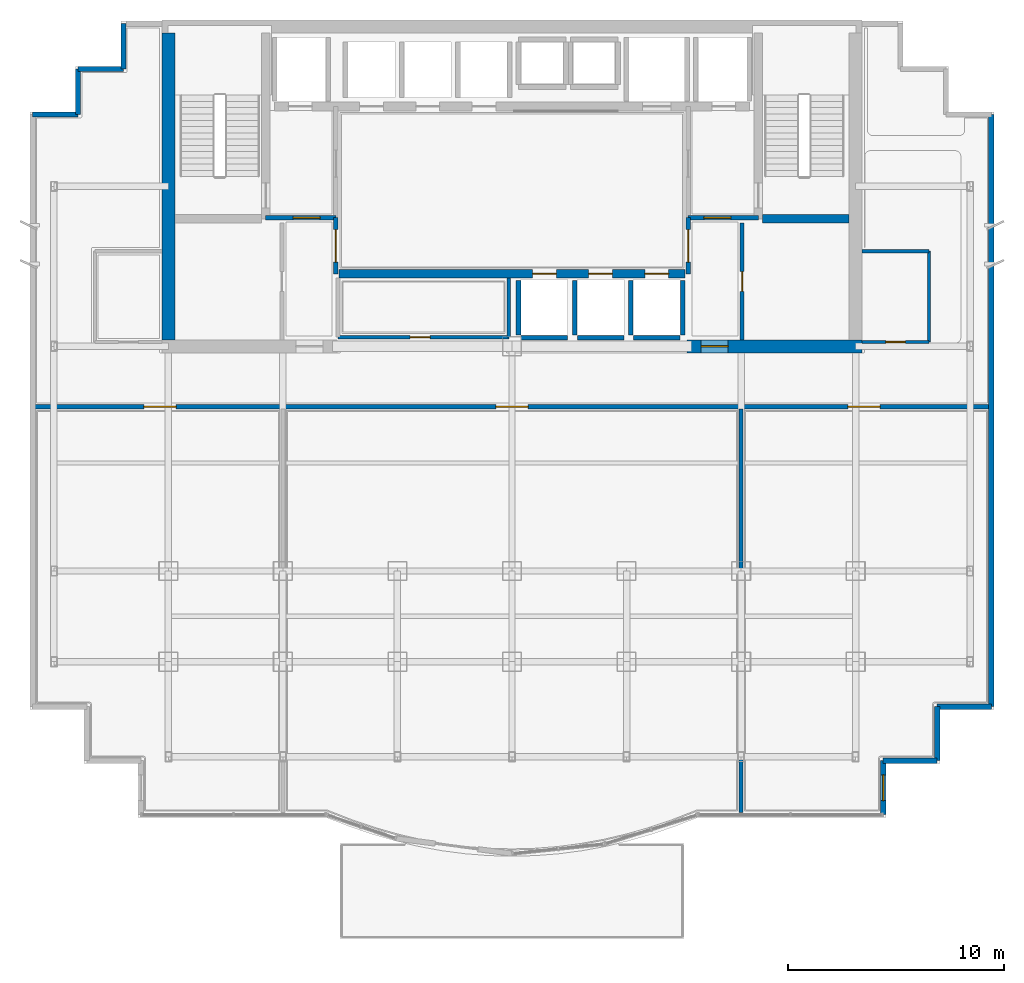
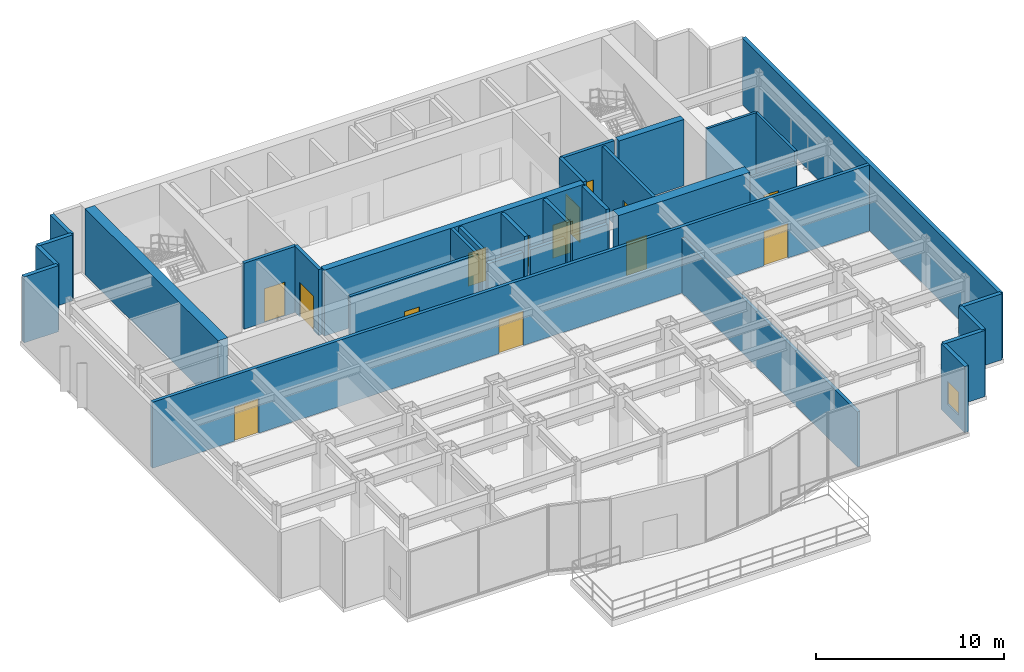
# One storey, part 6 of 9: 32 walls, 14 doors, 1 window, 15 openings.
"""IFC4 building model written with IfcOpenShell, lengths in metres."""

from ifc_helpers import new_model, si_unit, direction, frame, frame_2d, origin, place, context, subcontext, project, spatial, rectangle, extrude, material, layer, layer_set, type_object, element, fill, save


model = new_model("IFC4")

# Units and contexts
model_context = context("Model", 3, precision=1e-05, world=origin(), true_north=direction((0.0, 1.0)))
body_context = subcontext(model_context, "Body", "Model", "MODEL_VIEW")
ifc_project = project(units=[si_unit("LENGTHUNIT", "METRE"), si_unit("AREAUNIT", "SQUARE_METRE"), si_unit("VOLUMEUNIT", "CUBIC_METRE"), si_unit("PLANEANGLEUNIT", "RADIAN"), si_unit("MASSUNIT", "GRAM", prefix="KILO")], contexts=[model_context])

# Site, building, storey
site_placement = place(None, origin())
site = spatial("IfcSite", under=ifc_project, at=site_placement, CompositionType="ELEMENT")
building_placement = place(site_placement, origin())
building = spatial("IfcBuilding", under=site, at=building_placement, Name="Qianlan Lanfeng Residences", CompositionType="ELEMENT")
storey_placement = place(building_placement, frame((0.0, 0.0, 134.699951171875)))
storey = spatial("IfcBuildingStorey", under=building, at=storey_placement, Name="L36", CompositionType="ELEMENT", Elevation=134.699951171875)

# Wall
ifc_material_1 = material(Name="Concrete C56", Category="concrete")
ifc_layer_1 = layer(ifc_material_1, 0.39990234375)
ifc_layer_set_1 = layer_set([ifc_layer_1], Name="Concrete C56")
wall_type_1 = type_object("IfcWallType", Name="CW-RC-400", PredefinedType="SHEAR", material=ifc_layer_set_1)
wall_1_placement = place(storey_placement, frame((38.10009765625, 31.10009765625, 0.0), z_axis=(0.0, 0.0, 1.0), x_axis=(1.0, 0.0, 0.0)))
element("IfcWall", 1, at=wall_1_placement, inside=storey, type_object=wall_type_1, Name="L36 Core Shear Wall ST2S", PredefinedType="SHEAR", context=body_context, shape_type="SweptSolid", body=[
    extrude(rectangle(XDim=4.0, YDim=0.39990234375, at=frame_2d((2.0, 0.0))), origin(), (0.0, 0.0, 1.0), 4.300048828125),
])

# Wall, openings, doors
wall_2_placement = place(storey_placement, frame((18.5, 28.550048828125, 0.0), z_axis=(0.0, 0.0, 1.0), x_axis=(1.0, 0.0, 0.0)))
wall_2 = element("IfcWall", 2, at=wall_2_placement, inside=storey, type_object=wall_type_1, Name="L36 Core Shear Wall LBS", PredefinedType="SHEAR", context=body_context, shape_type="SweptSolid", body=[
    extrude(rectangle(XDim=16.0, YDim=0.39990234375, at=frame_2d((8.0, 0.0))), origin(), (0.0, 0.0, 1.0), 4.300048828125),
])
opening_1_placement = place(wall_2_placement, frame((8.949951171875, 0.0, 0.0)))
opening_1 = element("IfcOpeningElement", 3, at=opening_1_placement, cuts=wall_2, Name="Opening L36-LD-PL-M1", PredefinedType="OPENING", context=body_context, shape_type="SweptSolid", body=[
    extrude(rectangle(XDim=1.10009765625, YDim=2.14990234375, at=frame_2d((0.550048828125, 1.074951171875))), frame((0.0, 0.2099609375, 0.0), z_axis=(0.0, -1.0, 0.0), x_axis=(1.0, 0.0, 0.0)), (0.0, 0.0, 1.0), 0.419921875),
])
opening_2_placement = place(wall_2_placement, frame((11.550048828125, 0.0, 0.0)))
opening_2 = element("IfcOpeningElement", 4, at=opening_2_placement, cuts=wall_2, Name="Opening L36-LD-PL-M2", PredefinedType="OPENING", context=body_context, shape_type="SweptSolid", body=[
    extrude(rectangle(XDim=1.10009765625, YDim=2.14990234375, at=frame_2d((0.550048828125, 1.074951171875))), frame((0.0, 0.2099609375, 0.0), z_axis=(0.0, -1.0, 0.0), x_axis=(1.0, 0.0, 0.0)), (0.0, 0.0, 1.0), 0.419921875),
])
opening_3_placement = place(wall_2_placement, frame((14.14990234375, 0.0, 0.0)))
opening_3 = element("IfcOpeningElement", 5, at=opening_3_placement, cuts=wall_2, Name="Opening L36-LD-PL-M3", PredefinedType="OPENING", context=body_context, shape_type="SweptSolid", body=[
    extrude(rectangle(XDim=1.10009765625, YDim=2.14990234375, at=frame_2d((0.550048828125, 1.074951171875))), frame((0.0, 0.2099609375, 0.0), z_axis=(0.0, -1.0, 0.0), x_axis=(1.0, 0.0, 0.0)), (0.0, 0.0, 1.0), 0.419921875),
])
ifc_material_2 = material(Name="Brushed Stainless Steel Sliding Lift Door", Category="steel")
door_type_1 = type_object("IfcDoorType", Name="LD-01", OperationType="NOTDEFINED", PredefinedType="DOOR", material=ifc_material_2)
door_1_placement = place(opening_1_placement, origin())
door_1 = element("IfcDoor", 6, at=door_1_placement, inside=storey, type_object=door_type_1, Name="L36 Elevator PL-M1 Sliding Landing Door", OperationType="DOUBLE_DOOR_SLIDING", OverallHeight=2.14990234375, OverallWidth=1.10009765625, PredefinedType="DOOR", context=body_context, shape_type="SweptSolid", body=[
    extrude(rectangle(XDim=1.10009765625, YDim=2.14990234375, at=frame_2d((0.550048828125, 1.074951171875))), frame((0.0, 0.02490234375, 0.0), z_axis=(0.0, -1.0, 0.0), x_axis=(1.0, 0.0, 0.0)), (0.0, 0.0, 1.0), 0.050048828125),
])
fill(opening_1, door_1)
door_2_placement = place(opening_2_placement, origin())
door_2 = element("IfcDoor", 7, at=door_2_placement, inside=storey, type_object=door_type_1, Name="L36 Elevator PL-M2 Sliding Landing Door", OperationType="DOUBLE_DOOR_SLIDING", OverallHeight=2.14990234375, OverallWidth=1.10009765625, PredefinedType="DOOR", context=body_context, shape_type="SweptSolid", body=[
    extrude(rectangle(XDim=1.10009765625, YDim=2.14990234375, at=frame_2d((0.550048828125, 1.074951171875))), frame((0.0, 0.02490234375, 0.0), z_axis=(0.0, -1.0, 0.0), x_axis=(1.0, 0.0, 0.0)), (0.0, 0.0, 1.0), 0.050048828125),
])
fill(opening_2, door_2)
door_3_placement = place(opening_3_placement, origin())
door_3 = element("IfcDoor", 8, at=door_3_placement, inside=storey, type_object=door_type_1, Name="L36 Elevator PL-M3 Sliding Landing Door", OperationType="DOUBLE_DOOR_SLIDING", OverallHeight=2.14990234375, OverallWidth=1.10009765625, PredefinedType="DOOR", context=body_context, shape_type="SweptSolid", body=[
    extrude(rectangle(XDim=1.10009765625, YDim=2.14990234375, at=frame_2d((0.550048828125, 1.074951171875))), frame((0.0, 0.02490234375, 0.0), z_axis=(0.0, -1.0, 0.0), x_axis=(1.0, 0.0, 0.0)), (0.0, 0.0, 1.0), 0.050048828125),
])
fill(opening_3, door_3)

# Wall
ifc_layer_2 = layer(ifc_material_1, 0.60009765625)
ifc_layer_set_2 = layer_set([ifc_layer_2], Name="Concrete C56")
wall_type_2 = type_object("IfcWallType", Name="CW-RC-600", PredefinedType="SHEAR", material=ifc_layer_set_2)
wall_3_placement = place(storey_placement, frame((10.60009765625, 25.5, 0.0), z_axis=(0.0, 0.0, 1.0), x_axis=(0.0, 1.0, 0.0)))
element("IfcWall", 9, at=wall_3_placement, inside=storey, type_object=wall_type_2, Name="L36 Core Shear Wall W", PredefinedType="SHEAR", context=body_context, shape_type="SweptSolid", body=[
    extrude(rectangle(XDim=14.199951171875, YDim=0.60009765625, at=frame_2d((7.10009765625, 0.0))), origin(), (0.0, 0.0, 1.0), 4.300048828125),
])

# Wall, opening, door
wall_4_placement = place(storey_placement, frame((34.60009765625, 25.199951171875, 0.0), z_axis=(0.0, 0.0, 1.0), x_axis=(1.0, 0.0, 0.0)))
wall_4 = element("IfcWall", 10, at=wall_4_placement, inside=storey, type_object=wall_type_2, Name="L36 Core Shear Wall SE", PredefinedType="SHEAR", context=body_context, shape_type="SweptSolid", body=[
    extrude(rectangle(XDim=8.099853515625, YDim=0.60009765625, at=frame_2d((4.0498046875, 0.0))), origin(), (0.0, 0.0, 1.0), 4.300048828125),
])
opening_4_placement = place(wall_4_placement, frame((0.64990234375, 0.0, 0.0)))
opening_4 = element("IfcOpeningElement", 11, at=opening_4_placement, cuts=wall_4, Name="Opening L36-D02", PredefinedType="OPENING", context=body_context, shape_type="SweptSolid", body=[
    extrude(rectangle(XDim=1.25, YDim=2.199951171875, at=frame_2d((0.625, 1.10009765625))), frame((0.0, 0.31005859375, 0.0), z_axis=(0.0, -1.0, 0.0), x_axis=(1.0, 0.0, 0.0)), (0.0, 0.0, 1.0), 0.6201171875),
])
ifc_material_3 = material(Name="Painted Galvanised Steel Fire Door", Category="steel")
door_type_2 = type_object("IfcDoorType", Name="DT-FFL", OperationType="NOTDEFINED", PredefinedType="DOOR", material=ifc_material_3)
door_4_placement = place(opening_4_placement, frame((1.25, 0.0, 0.0), z_axis=(0.0, 0.0, 1.0), x_axis=(-1.0, 0.0, 0.0)))
door_4 = element("IfcDoor", 12, at=door_4_placement, inside=storey, type_object=door_type_2, Name="L36 East Core Lobby Smoke Door L36-D02 (DT-FFL)", OperationType="SINGLE_SWING_LEFT", OverallHeight=2.199951171875, OverallWidth=1.25, PredefinedType="DOOR", context=body_context, shape_type="SweptSolid", body=[
    extrude(rectangle(XDim=1.25, YDim=2.199951171875, at=frame_2d((0.625, 1.10009765625))), frame((0.0, 0.02490234375, 0.0), z_axis=(0.0, -1.0, 0.0), x_axis=(1.0, 0.0, 0.0)), (0.0, 0.0, 1.0), 0.050048828125),
])
fill(opening_4, door_4)

# Wall, opening, window
ifc_material_4 = material(Name="Concrete C42", Category="concrete")
ifc_layer_3 = layer(ifc_material_4, 0.239990234375)
ifc_layer_set_3 = layer_set([ifc_layer_3], Name="Concrete C42")
wall_type_3 = type_object("IfcWallType", Name="EW-240", PredefinedType="SOLIDWALL", material=ifc_layer_set_3)
wall_5_placement = place(storey_placement, frame((43.679931640625, 3.52001953125, 0.0), z_axis=(0.0, 0.0, 1.0), x_axis=(0.0, 1.0, 0.0)))
wall_5 = element("IfcWall", 13, at=wall_5_placement, inside=storey, type_object=wall_type_3, Name="L36 Exterior Facade Spandrel Wall 6", PredefinedType="SOLIDWALL", context=body_context, shape_type="SweptSolid", body=[
    extrude(rectangle(XDim=2.5, YDim=0.239990234375, at=frame_2d((1.25, 0.0))), origin(), (0.0, 0.0, 1.0), 4.300048828125),
])
opening_5_placement = place(wall_5_placement, frame((0.64990234375, 0.0, 0.75)))
opening_5 = element("IfcOpeningElement", 14, at=opening_5_placement, cuts=wall_5, Name="Opening W-03", PredefinedType="OPENING", context=body_context, shape_type="SweptSolid", body=[
    extrude(rectangle(XDim=1.199951171875, YDim=1.5, at=frame_2d((0.60009765625, 0.75))), frame((0.0, 0.1298828125, 0.0), z_axis=(0.0, -1.0, 0.0), x_axis=(1.0, 0.0, 0.0)), (0.0, 0.0, 1.0), 0.260009765625),
])
ifc_material_5 = material(Name="Anodised Bronze Aluminium Framed Double Glazing", Category="aluminium")
window_type = type_object("IfcWindowType", Name="W-03", PartitioningType="SINGLE_PANEL", PredefinedType="WINDOW", material=ifc_material_5)
window_placement = place(opening_5_placement, origin())
window = element("IfcWindow", 15, at=window_placement, inside=storey, type_object=window_type, Name="L36 Facade Punched Window W-03", OverallHeight=1.5, OverallWidth=1.199951171875, PartitioningType="SINGLE_PANEL", PredefinedType="WINDOW", context=body_context, shape_type="SweptSolid", body=[
    extrude(rectangle(XDim=1.199951171875, YDim=1.5, at=frame_2d((0.60009765625, 0.75))), frame((0.0, 0.030029296875, 0.0), z_axis=(0.0, -1.0, 0.0), x_axis=(1.0, 0.0, 0.0)), (0.0, 0.0, 1.0), 0.06005859375),
])
fill(opening_5, window)

# Walls
for number, where, z_axis, x_axis, name in (
    (16, (43.679931640625, 6.02001953125, 0.0), (0.0, 0.0, 1.0), (1.0, 0.0, 0.0), "L36 Exterior Facade Spandrel Wall 7"),
    (17, (46.179931640625, 6.02001953125, 0.0), (0.0, 0.0, 1.0), (0.0, 1.0, 0.0), "L36 Exterior Facade Spandrel Wall 8"),
    (18, (46.179931640625, 8.52001953125, 0.0), (0.0, 0.0, 1.0), (1.0, 0.0, 0.0), "L36 Exterior Facade Spandrel Wall 9"),
):
    element("IfcWall", number, at=place(storey_placement, frame(where, z_axis=z_axis, x_axis=x_axis)), inside=storey, type_object=wall_type_3, Name=name, PredefinedType="SOLIDWALL", context=body_context, shape_type="SweptSolid", body=[
        extrude(rectangle(XDim=2.5, YDim=0.239990234375, at=frame_2d((1.25, 0.0))), origin(), (0.0, 0.0, 1.0), 4.300048828125),
    ])
wall_6_placement = place(storey_placement, frame((48.679931640625, 8.52001953125, 0.0), z_axis=(0.0, 0.0, 1.0), x_axis=(0.0, 1.0, 0.0)))
element("IfcWall", 19, at=wall_6_placement, inside=storey, type_object=wall_type_3, Name="L36 Exterior Facade Spandrel Wall 10", PredefinedType="SOLIDWALL", context=body_context, shape_type="SweptSolid", body=[
    extrude(rectangle(XDim=27.409912109375, YDim=0.239990234375, at=frame_2d((13.705078125, 0.0))), origin(), (0.0, 0.0, 1.0), 4.300048828125),
])
wall_7_placement = place(storey_placement, frame((8.52001953125, 40.1298828125, 0.0), z_axis=(0.0, 0.0, 1.0), x_axis=(0.0, -1.0, 0.0)))
element("IfcWall", 20, at=wall_7_placement, inside=storey, type_object=wall_type_3, Name="L36 Exterior Facade Spandrel Wall 17", PredefinedType="SOLIDWALL", context=body_context, shape_type="SweptSolid", body=[
    extrude(rectangle(XDim=2.099853515625, YDim=0.239990234375, at=frame_2d((1.0498046875, 0.0))), origin(), (0.0, 0.0, 1.0), 4.300048828125),
])
for number, where, z_axis, x_axis, name in (
    (21, (8.52001953125, 38.030029296875, 0.0), (0.0, 0.0, 1.0), (-1.0, 0.0, 0.0), "L36 Exterior Facade Spandrel Wall 18"),
    (22, (6.419921875, 38.030029296875, 0.0), (0.0, 0.0, 1.0), (0.0, -1.0, 0.0), "L36 Exterior Facade Spandrel Wall 19"),
):
    element("IfcWall", number, at=place(storey_placement, frame(where, z_axis=z_axis, x_axis=x_axis)), inside=storey, type_object=wall_type_3, Name=name, PredefinedType="SOLIDWALL", context=body_context, shape_type="SweptSolid", body=[
        extrude(rectangle(XDim=2.10009765625, YDim=0.239990234375, at=frame_2d((1.050048828125, 0.0))), origin(), (0.0, 0.0, 1.0), 4.300048828125),
    ])
wall_8_placement = place(storey_placement, frame((6.419921875, 35.929931640625, 0.0), z_axis=(0.0, 0.0, 1.0), x_axis=(-1.0, 0.0, 0.0)))
element("IfcWall", 23, at=wall_8_placement, inside=storey, type_object=wall_type_3, Name="L36 Exterior Facade Spandrel Wall 20", PredefinedType="SOLIDWALL", context=body_context, shape_type="SweptSolid", body=[
    extrude(rectangle(XDim=2.099853515625, YDim=0.239990234375, at=frame_2d((1.0498046875, 0.0))), origin(), (0.0, 0.0, 1.0), 4.300048828125),
])

# Wall, opening, door
ifc_material_6 = material(Name="Acoustic Drywall Partition 150 mm")
ifc_layer_4 = layer(ifc_material_6, 0.14990234375)
ifc_layer_set_4 = layer_set([ifc_layer_4], Name="Acoustic Drywall Partition 150 mm")
wall_type_4 = type_object("IfcWallType", Name="PW-150", PredefinedType="PARTITIONING", material=ifc_layer_set_4)
wall_9_placement = place(storey_placement, frame((42.699951171875, 25.39990234375, 0.0), z_axis=(0.0, 0.0, 1.0), x_axis=(1.0, 0.0, 0.0)))
wall_9 = element("IfcWall", 24, at=wall_9_placement, inside=storey, type_object=wall_type_4, Name="L36 Accessible WC South Wall", PredefinedType="PARTITIONING", context=body_context, shape_type="SweptSolid", body=[
    extrude(rectangle(XDim=3.10009765625, YDim=0.14990234375, at=frame_2d((1.550048828125, 0.0))), origin(), (0.0, 0.0, 1.0), 3.594970703125),
])
opening_6_placement = place(wall_9_placement, frame((1.10009765625, 0.0, 0.0)))
opening_6 = element("IfcOpeningElement", 25, at=opening_6_placement, cuts=wall_9, Name="Opening L36-D18", PredefinedType="OPENING", context=body_context, shape_type="SweptSolid", body=[
    extrude(rectangle(XDim=0.89990234375, YDim=2.14990234375, at=frame_2d((0.449951171875, 1.074951171875))), frame((0.0, 0.0849609375, 0.0), z_axis=(0.0, -1.0, 0.0), x_axis=(1.0, 0.0, 0.0)), (0.0, 0.0, 1.0), 0.169921875),
])
ifc_material_7 = material(Name="Moisture-Resistant Timber Leaf", Category="wood")
door_type_3 = type_object("IfcDoorType", Name="DT-WC", OperationType="NOTDEFINED", PredefinedType="DOOR", material=ifc_material_7)
door_5_placement = place(opening_6_placement, origin())
door_5 = element("IfcDoor", 26, at=door_5_placement, inside=storey, type_object=door_type_3, Name="L36 Accessible WC Door L36-D18 (DT-WC)", OperationType="SINGLE_SWING_LEFT", OverallHeight=2.14990234375, OverallWidth=0.89990234375, PredefinedType="DOOR", context=body_context, shape_type="SweptSolid", body=[
    extrude(rectangle(XDim=0.89990234375, YDim=2.14990234375, at=frame_2d((0.449951171875, 1.074951171875))), frame((0.0, 0.02490234375, 0.0), z_axis=(0.0, -1.0, 0.0), x_axis=(1.0, 0.0, 0.0)), (0.0, 0.0, 1.0), 0.050048828125),
])
fill(opening_6, door_5)

# Walls
wall_10_placement = place(storey_placement, frame((45.800048828125, 25.39990234375, 0.0), z_axis=(0.0, 0.0, 1.0), x_axis=(0.0, 1.0, 0.0)))
element("IfcWall", 27, at=wall_10_placement, inside=storey, type_object=wall_type_4, Name="L36 Accessible WC East Wall", PredefinedType="PARTITIONING", context=body_context, shape_type="SweptSolid", body=[
    extrude(rectangle(XDim=4.2001953125, YDim=0.14990234375, at=frame_2d((2.10009765625, 0.0))), origin(), (0.0, 0.0, 1.0), 4.300048828125),
])
wall_11_placement = place(storey_placement, frame((42.699951171875, 29.60009765625, 0.0), z_axis=(0.0, 0.0, 1.0), x_axis=(1.0, 0.0, 0.0)))
element("IfcWall", 28, at=wall_11_placement, inside=storey, type_object=wall_type_4, Name="L36 Accessible WC North Wall", PredefinedType="PARTITIONING", context=body_context, shape_type="SweptSolid", body=[
    extrude(rectangle(XDim=3.10009765625, YDim=0.14990234375, at=frame_2d((1.550048828125, 0.0))), origin(), (0.0, 0.0, 1.0), 4.300048828125),
])

# Wall, opening, door
ifc_material_8 = material(Name="Double-Layer Acoustic Gypsum Stud Wall 180 mm")
ifc_layer_5 = layer(ifc_material_8, 0.179931640625)
ifc_layer_set_5 = layer_set([ifc_layer_5], Name="Double-Layer Acoustic Gypsum Stud Wall 180 mm")
wall_type_5 = type_object("IfcWallType", Name="PW-180", PredefinedType="PARTITIONING", material=ifc_layer_set_5)
wall_12_placement = place(storey_placement, frame((37.14990234375, 25.5, 0.0), z_axis=(0.0, 0.0, 1.0), x_axis=(0.0, 1.0, 0.0)))
wall_12 = element("IfcWall", 29, at=wall_12_placement, inside=storey, type_object=wall_type_5, Name="L36 Core East Service Room Wall", PredefinedType="PARTITIONING", context=body_context, shape_type="SweptSolid", body=[
    extrude(rectangle(XDim=5.39990234375, YDim=0.179931640625, at=frame_2d((2.699951171875, 0.0))), origin(), (0.0, 0.0, 1.0), 4.300048828125),
])
opening_7_placement = place(wall_12_placement, frame((2.239990234375, 0.0, 0.0)))
opening_7 = element("IfcOpeningElement", 30, at=opening_7_placement, cuts=wall_12, Name="Opening L36-D10", PredefinedType="OPENING", context=body_context, shape_type="SweptSolid", body=[
    extrude(rectangle(XDim=0.919921875, YDim=2.14990234375, at=frame_2d((0.4599609375, 1.074951171875))), frame((0.0, 0.10009765625, 0.0), z_axis=(0.0, -1.0, 0.0), x_axis=(1.0, 0.0, 0.0)), (0.0, 0.0, 1.0), 0.199951171875),
])
ifc_material_9 = material(Name="Glazed Timber Kitchen/Study Door", Category="wood")
door_type_4 = type_object("IfcDoorType", Name="DT-INT", OperationType="NOTDEFINED", PredefinedType="DOOR", material=ifc_material_9)
door_6_placement = place(opening_7_placement, origin())
door_6 = element("IfcDoor", 31, at=door_6_placement, inside=storey, type_object=door_type_4, Name="L36 Refuse Recycling Door L36-D10 (DT-INT)", OperationType="SINGLE_SWING_LEFT", OverallHeight=2.14990234375, OverallWidth=0.919921875, PredefinedType="DOOR", context=body_context, shape_type="SweptSolid", body=[
    extrude(rectangle(XDim=0.919921875, YDim=2.14990234375, at=frame_2d((0.4599609375, 1.074951171875))), frame((0.0, 0.02490234375, 0.0), z_axis=(0.0, -1.0, 0.0), x_axis=(1.0, 0.0, 0.0)), (0.0, 0.0, 1.0), 0.050048828125),
])
fill(opening_7, door_6)

# Wall
wall_13_placement = place(storey_placement, frame((26.35009765625, 25.6201171875, 0.0), z_axis=(0.0, 0.0, 1.0), x_axis=(0.0, 1.0, 0.0)))
element("IfcWall", 32, at=wall_13_placement, inside=storey, type_object=wall_type_5, Name="L36 Reclaimed Low-Bank Room East Wall", PredefinedType="PARTITIONING", context=body_context, shape_type="SweptSolid", body=[
    extrude(rectangle(XDim=2.72998046875, YDim=0.179931640625, at=frame_2d((1.364990234375, 0.0))), origin(), (0.0, 0.0, 1.0), 4.300048828125),
])

# Wall, opening, door
wall_14_placement = place(storey_placement, frame((18.449951171875, 25.6201171875, 0.0), z_axis=(0.0, 0.0, 1.0), x_axis=(1.0, 0.0, 0.0)))
wall_14 = element("IfcWall", 33, at=wall_14_placement, inside=storey, type_object=wall_type_5, Name="L36 Reclaimed Low-Bank Room South Wall", PredefinedType="PARTITIONING", context=body_context, shape_type="SweptSolid", body=[
    extrude(rectangle(XDim=7.900146484375, YDim=0.179931640625, at=frame_2d((3.9501953125, 0.0))), origin(), (0.0, 0.0, 1.0), 4.300048828125),
])
opening_8_placement = place(wall_14_placement, frame((3.340087890625, 0.0, 0.0)))
opening_8 = element("IfcOpeningElement", 34, at=opening_8_placement, cuts=wall_14, Name="Opening L36-D13", PredefinedType="OPENING", context=body_context, shape_type="SweptSolid", body=[
    extrude(rectangle(XDim=0.919921875, YDim=2.14990234375, at=frame_2d((0.4599609375, 1.074951171875))), frame((0.0, 0.10009765625, 0.0), z_axis=(0.0, -1.0, 0.0), x_axis=(1.0, 0.0, 0.0)), (0.0, 0.0, 1.0), 0.199951171875),
])
door_7_placement = place(opening_8_placement, origin())
door_7 = element("IfcDoor", 35, at=door_7_placement, inside=storey, type_object=door_type_4, Name="L36 Reclaimed Core Salon Door L36-D13 (DT-INT)", OperationType="SINGLE_SWING_RIGHT", OverallHeight=2.14990234375, OverallWidth=0.919921875, PredefinedType="DOOR", context=body_context, shape_type="SweptSolid", body=[
    extrude(rectangle(XDim=0.919921875, YDim=2.14990234375, at=frame_2d((0.4599609375, 1.074951171875))), frame((0.0, 0.02490234375, 0.0), z_axis=(0.0, -1.0, 0.0), x_axis=(1.0, 0.0, 0.0)), (0.0, 0.0, 1.0), 0.050048828125),
])
fill(opening_8, door_7)

# Wall
wall_15_placement = place(storey_placement, frame((37.10009765625, 3.6201171875, 0.0), z_axis=(0.0, 0.0, 1.0), x_axis=(0.0, 1.0, 0.0)))
element("IfcWall", 36, at=wall_15_placement, inside=storey, type_object=wall_type_5, Name="L36 East Lounge Partition", PredefinedType="PARTITIONING", context=body_context, shape_type="SweptSolid", body=[
    extrude(rectangle(XDim=18.679931640625, YDim=0.179931640625, at=frame_2d((9.33984375, 0.0))), origin(), (0.0, 0.0, 1.0), 3.594970703125),
])

# Wall, opening, door
ifc_material_10 = material(Name="Autoclaved Aerated Concrete Blockwork 200 mm", Category="masonry")
ifc_layer_6 = layer(ifc_material_10, 0.199951171875)
ifc_layer_set_6 = layer_set([ifc_layer_6], Name="Autoclaved Aerated Concrete Blockwork 200 mm")
wall_type_6 = type_object("IfcWallType", Name="PW-200", PredefinedType="PARTITIONING", material=ifc_layer_set_6)
wall_16_placement = place(storey_placement, frame((15.10009765625, 31.14990234375, 0.0), z_axis=(0.0, 0.0, 1.0), x_axis=(1.0, 0.0, 0.0)))
wall_16 = element("IfcWall", 37, at=wall_16_placement, inside=storey, type_object=wall_type_6, Name="L36 Firefighting Lobby 1 South Wall", PredefinedType="PARTITIONING", context=body_context, shape_type="SweptSolid", body=[
    extrude(rectangle(XDim=3.25, YDim=0.199951171875, at=frame_2d((1.625, 0.0))), origin(), (0.0, 0.0, 1.0), 4.300048828125),
])
opening_9_placement = place(wall_16_placement, frame((1.27490234375, 0.0, 0.0)))
opening_9 = element("IfcOpeningElement", 38, at=opening_9_placement, cuts=wall_16, Name="Opening L36-D03", PredefinedType="OPENING", context=body_context, shape_type="SweptSolid", body=[
    extrude(rectangle(XDim=1.25, YDim=2.199951171875, at=frame_2d((0.625, 1.10009765625))), frame((0.0, 0.10986328125, 0.0), z_axis=(0.0, -1.0, 0.0), x_axis=(1.0, 0.0, 0.0)), (0.0, 0.0, 1.0), 0.219970703125),
])
door_8_placement = place(opening_9_placement, origin())
door_8 = element("IfcDoor", 39, at=door_8_placement, inside=storey, type_object=door_type_2, Name="L36 Firefighting Lobby 1 Entry Door L36-D03 (DT-FFL)", OperationType="SINGLE_SWING_LEFT", OverallHeight=2.199951171875, OverallWidth=1.25, PredefinedType="DOOR", context=body_context, shape_type="SweptSolid", body=[
    extrude(rectangle(XDim=1.25, YDim=2.199951171875, at=frame_2d((0.625, 1.10009765625))), frame((0.0, 0.02490234375, 0.0), z_axis=(0.0, -1.0, 0.0), x_axis=(1.0, 0.0, 0.0)), (0.0, 0.0, 1.0), 0.050048828125),
])
fill(opening_9, door_8)

wall_17_placement = place(storey_placement, frame((34.64990234375, 31.14990234375, 0.0), z_axis=(0.0, 0.0, 1.0), x_axis=(1.0, 0.0, 0.0)))
wall_17 = element("IfcWall", 40, at=wall_17_placement, inside=storey, type_object=wall_type_6, Name="L36 Firefighting Lobby 2 South Wall", PredefinedType="PARTITIONING", context=body_context, shape_type="SweptSolid", body=[
    extrude(rectangle(XDim=3.25, YDim=0.199951171875, at=frame_2d((1.625, 0.0))), origin(), (0.0, 0.0, 1.0), 4.300048828125),
])
opening_10_placement = place(wall_17_placement, frame((0.72509765625, 0.0, 0.0)))
opening_10 = element("IfcOpeningElement", 41, at=opening_10_placement, cuts=wall_17, Name="Opening L36-D05", PredefinedType="OPENING", context=body_context, shape_type="SweptSolid", body=[
    extrude(rectangle(XDim=1.25, YDim=2.199951171875, at=frame_2d((0.625, 1.10009765625))), frame((0.0, 0.10986328125, 0.0), z_axis=(0.0, -1.0, 0.0), x_axis=(1.0, 0.0, 0.0)), (0.0, 0.0, 1.0), 0.219970703125),
])
door_9_placement = place(opening_10_placement, origin())
door_9 = element("IfcDoor", 42, at=door_9_placement, inside=storey, type_object=door_type_2, Name="L36 Firefighting Lobby 2 Entry Door L36-D05 (DT-FFL)", OperationType="SINGLE_SWING_RIGHT", OverallHeight=2.199951171875, OverallWidth=1.25, PredefinedType="DOOR", context=body_context, shape_type="SweptSolid", body=[
    extrude(rectangle(XDim=1.25, YDim=2.199951171875, at=frame_2d((0.625, 1.10009765625))), frame((0.0, 0.02490234375, 0.0), z_axis=(0.0, -1.0, 0.0), x_axis=(1.0, 0.0, 0.0)), (0.0, 0.0, 1.0), 0.050048828125),
])
fill(opening_10, door_9)

wall_18_placement = place(storey_placement, frame((18.35009765625, 28.550048828125, 0.0), z_axis=(0.0, 0.0, 1.0), x_axis=(0.0, 1.0, 0.0)))
wall_18 = element("IfcWall", 43, at=wall_18_placement, inside=storey, type_object=wall_type_6, Name="L36 Lift Lobby West Connector Wall", PredefinedType="PARTITIONING", context=body_context, shape_type="SweptSolid", body=[
    extrude(rectangle(XDim=2.599853515625, YDim=0.199951171875, at=frame_2d((1.2998046875, 0.0))), origin(), (0.0, 0.0, 1.0), 4.300048828125),
])
opening_11_placement = place(wall_18_placement, frame((0.550048828125, 0.0, 0.0)))
opening_11 = element("IfcOpeningElement", 44, at=opening_11_placement, cuts=wall_18, Name="Opening L36-D11", PredefinedType="OPENING", context=body_context, shape_type="SweptSolid", body=[
    extrude(rectangle(XDim=1.5, YDim=2.25, at=frame_2d((0.75, 1.125))), frame((0.0, 0.10986328125, 0.0), z_axis=(0.0, -1.0, 0.0), x_axis=(1.0, 0.0, 0.0)), (0.0, 0.0, 1.0), 0.219970703125),
])
ifc_material_11 = material(Name="Timber Veneer Acoustic Fire Door", Category="wood")
door_type_5 = type_object("IfcDoorType", Name="DT-COR1", OperationType="NOTDEFINED", PredefinedType="DOOR", material=ifc_material_11)
door_10_placement = place(opening_11_placement, origin())
door_10 = element("IfcDoor", 45, at=door_10_placement, inside=storey, type_object=door_type_5, Name="L36 Lift Lobby West Portal Door L36-D11 (DT-COR1)", OperationType="DOUBLE_DOOR_SINGLE_SWING", OverallHeight=2.25, OverallWidth=1.5, PredefinedType="DOOR", context=body_context, shape_type="SweptSolid", body=[
    extrude(rectangle(XDim=1.5, YDim=2.25, at=frame_2d((0.75, 1.125))), frame((0.0, 0.02490234375, 0.0), z_axis=(0.0, -1.0, 0.0), x_axis=(1.0, 0.0, 0.0)), (0.0, 0.0, 1.0), 0.050048828125),
])
fill(opening_11, door_10)

wall_19_placement = place(storey_placement, frame((34.64990234375, 28.550048828125, 0.0), z_axis=(0.0, 0.0, 1.0), x_axis=(0.0, 1.0, 0.0)))
wall_19 = element("IfcWall", 46, at=wall_19_placement, inside=storey, type_object=wall_type_6, Name="L36 Lift Lobby East Connector Wall", PredefinedType="PARTITIONING", context=body_context, shape_type="SweptSolid", body=[
    extrude(rectangle(XDim=2.599853515625, YDim=0.199951171875, at=frame_2d((1.2998046875, 0.0))), origin(), (0.0, 0.0, 1.0), 4.300048828125),
])
opening_12_placement = place(wall_19_placement, frame((0.550048828125, 0.0, 0.0)))
opening_12 = element("IfcOpeningElement", 47, at=opening_12_placement, cuts=wall_19, Name="Opening L36-D12", PredefinedType="OPENING", context=body_context, shape_type="SweptSolid", body=[
    extrude(rectangle(XDim=1.5, YDim=2.25, at=frame_2d((0.75, 1.125))), frame((0.0, 0.10986328125, 0.0), z_axis=(0.0, -1.0, 0.0), x_axis=(1.0, 0.0, 0.0)), (0.0, 0.0, 1.0), 0.219970703125),
])
door_11_placement = place(opening_12_placement, frame((1.5, 0.0, 0.0), z_axis=(0.0, 0.0, 1.0), x_axis=(-1.0, 0.0, 0.0)))
door_11 = element("IfcDoor", 48, at=door_11_placement, inside=storey, type_object=door_type_5, Name="L36 Lift Lobby East Portal Door L36-D12 (DT-COR1)", OperationType="DOUBLE_DOOR_SINGLE_SWING", OverallHeight=2.25, OverallWidth=1.5, PredefinedType="DOOR", context=body_context, shape_type="SweptSolid", body=[
    extrude(rectangle(XDim=1.5, YDim=2.25, at=frame_2d((0.75, 1.125))), frame((0.0, 0.02490234375, 0.0), z_axis=(0.0, -1.0, 0.0), x_axis=(1.0, 0.0, 0.0)), (0.0, 0.0, 1.0), 0.050048828125),
])
fill(opening_12, door_11)

# Wall, openings, doors
wall_20_placement = place(storey_placement, frame((4.419921875, 22.39990234375, 0.0), z_axis=(0.0, 0.0, 1.0), x_axis=(1.0, 0.0, 0.0)))
wall_20 = element("IfcWall", 49, at=wall_20_placement, inside=storey, type_object=wall_type_6, Name="L36 Sky Lobby Concourse Wall", PredefinedType="PARTITIONING", context=body_context, shape_type="SweptSolid", body=[
    extrude(rectangle(XDim=44.16015625, YDim=0.199951171875, at=frame_2d((22.080078125, 0.0))), origin(), (0.0, 0.0, 1.0), 4.300048828125),
])
opening_13_placement = place(wall_20_placement, frame((5.0400390625, 0.0, 0.0)))
opening_13 = element("IfcOpeningElement", 50, at=opening_13_placement, cuts=wall_20, Name="Opening L36-D14", PredefinedType="OPENING", context=body_context, shape_type="SweptSolid", body=[
    extrude(rectangle(XDim=1.5, YDim=2.25, at=frame_2d((0.75, 1.125))), frame((0.0, 0.10986328125, 0.0), z_axis=(0.0, -1.0, 0.0), x_axis=(1.0, 0.0, 0.0)), (0.0, 0.0, 1.0), 0.219970703125),
])
opening_14_placement = place(wall_20_placement, frame((21.330078125, 0.0, 0.0)))
opening_14 = element("IfcOpeningElement", 51, at=opening_14_placement, cuts=wall_20, Name="Opening L36-D15", PredefinedType="OPENING", context=body_context, shape_type="SweptSolid", body=[
    extrude(rectangle(XDim=1.5, YDim=2.25, at=frame_2d((0.75, 1.125))), frame((0.0, 0.10986328125, 0.0), z_axis=(0.0, -1.0, 0.0), x_axis=(1.0, 0.0, 0.0)), (0.0, 0.0, 1.0), 0.219970703125),
])
opening_15_placement = place(wall_20_placement, frame((37.6201171875, 0.0, 0.0)))
opening_15 = element("IfcOpeningElement", 52, at=opening_15_placement, cuts=wall_20, Name="Opening L36-D16", PredefinedType="OPENING", context=body_context, shape_type="SweptSolid", body=[
    extrude(rectangle(XDim=1.5, YDim=2.25, at=frame_2d((0.75, 1.125))), frame((0.0, 0.10986328125, 0.0), z_axis=(0.0, -1.0, 0.0), x_axis=(1.0, 0.0, 0.0)), (0.0, 0.0, 1.0), 0.219970703125),
])
door_12_placement = place(opening_13_placement, origin())
door_12 = element("IfcDoor", 53, at=door_12_placement, inside=storey, type_object=door_type_5, Name="L36 Poolside Changing and Shower Room Door L36-D14 (DT-COR1)", OperationType="DOUBLE_DOOR_SINGLE_SWING", OverallHeight=2.25, OverallWidth=1.5, PredefinedType="DOOR", context=body_context, shape_type="SweptSolid", body=[
    extrude(rectangle(XDim=1.5, YDim=2.25, at=frame_2d((0.75, 1.125))), frame((0.0, 0.02490234375, 0.0), z_axis=(0.0, -1.0, 0.0), x_axis=(1.0, 0.0, 0.0)), (0.0, 0.0, 1.0), 0.050048828125),
])
fill(opening_13, door_12)
door_13_placement = place(opening_14_placement, origin())
door_13 = element("IfcDoor", 54, at=door_13_placement, inside=storey, type_object=door_type_5, Name="L36 Sky Pool Lounge Door L36-D15 (DT-COR1)", OperationType="DOUBLE_DOOR_SINGLE_SWING", OverallHeight=2.25, OverallWidth=1.5, PredefinedType="DOOR", context=body_context, shape_type="SweptSolid", body=[
    extrude(rectangle(XDim=1.5, YDim=2.25, at=frame_2d((0.75, 1.125))), frame((0.0, 0.02490234375, 0.0), z_axis=(0.0, -1.0, 0.0), x_axis=(1.0, 0.0, 0.0)), (0.0, 0.0, 1.0), 0.050048828125),
])
fill(opening_14, door_13)
door_14_placement = place(opening_15_placement, origin())
door_14 = element("IfcDoor", 55, at=door_14_placement, inside=storey, type_object=door_type_5, Name="L36 Fitness Gymnasium Door L36-D16 (DT-COR1)", OperationType="DOUBLE_DOOR_SINGLE_SWING", OverallHeight=2.25, OverallWidth=1.5, PredefinedType="DOOR", context=body_context, shape_type="SweptSolid", body=[
    extrude(rectangle(XDim=1.5, YDim=2.25, at=frame_2d((0.75, 1.125))), frame((0.0, 0.02490234375, 0.0), z_axis=(0.0, -1.0, 0.0), x_axis=(1.0, 0.0, 0.0)), (0.0, 0.0, 1.0), 0.050048828125),
])
fill(opening_15, door_14)

# Walls
ifc_material_12 = material(Name="Concrete C49", Category="concrete")
ifc_layer_7 = layer(ifc_material_12, 0.219970703125)
ifc_layer_set_7 = layer_set([ifc_layer_7], Name="Concrete C49")
wall_type_7 = type_object("IfcWallType", Name="SHW-220", PredefinedType="SOLIDWALL", material=ifc_layer_set_7)
wall_21_placement = place(storey_placement, frame((26.800048828125, 25.719970703125, 0.0), z_axis=(0.0, 0.0, 1.0), x_axis=(0.0, 1.0, 0.0)))
element("IfcWall", 56, at=wall_21_placement, inside=storey, type_object=wall_type_7, Name="L36 Lift PL-M1 Shaft Wall W", PredefinedType="SOLIDWALL", context=body_context, shape_type="SweptSolid", body=[
    extrude(rectangle(XDim=2.530029296875, YDim=0.219970703125, at=frame_2d((1.26513671875, 0.0))), origin(), (0.0, 0.0, 1.0), 4.300048828125),
])
wall_22_placement = place(storey_placement, frame((26.919921875, 25.60009765625, 0.0), z_axis=(0.0, 0.0, 1.0), x_axis=(1.0, 0.0, 0.0)))
element("IfcWall", 57, at=wall_22_placement, inside=storey, type_object=wall_type_7, Name="L36 Lift PL-M1 Shaft Back Wall S", PredefinedType="SOLIDWALL", context=body_context, shape_type="SweptSolid", body=[
    extrude(rectangle(XDim=2.16015625, YDim=0.219970703125, at=frame_2d((1.080078125, 0.0))), origin(), (0.0, 0.0, 1.0), 3.4951171875),
])
wall_23_placement = place(storey_placement, frame((29.39990234375, 25.719970703125, 0.0), z_axis=(0.0, 0.0, 1.0), x_axis=(0.0, 1.0, 0.0)))
element("IfcWall", 58, at=wall_23_placement, inside=storey, type_object=wall_type_7, Name="L36 Lift PL-M2 Shaft Wall W", PredefinedType="SOLIDWALL", context=body_context, shape_type="SweptSolid", body=[
    extrude(rectangle(XDim=2.530029296875, YDim=0.219970703125, at=frame_2d((1.26513671875, 0.0))), origin(), (0.0, 0.0, 1.0), 4.300048828125),
])
wall_24_placement = place(storey_placement, frame((29.52001953125, 25.60009765625, 0.0), z_axis=(0.0, 0.0, 1.0), x_axis=(1.0, 0.0, 0.0)))
element("IfcWall", 59, at=wall_24_placement, inside=storey, type_object=wall_type_7, Name="L36 Lift PL-M2 Shaft Back Wall S", PredefinedType="SOLIDWALL", context=body_context, shape_type="SweptSolid", body=[
    extrude(rectangle(XDim=2.159912109375, YDim=0.219970703125, at=frame_2d((1.080078125, 0.0))), origin(), (0.0, 0.0, 1.0), 3.4951171875),
])
for number, where, z_axis, x_axis, name in (
    (60, (32.0, 25.719970703125, 0.0), (0.0, 0.0, 1.0), (0.0, 1.0, 0.0), "L36 Lift PL-M3 Shaft Wall W"),
    (61, (34.39990234375, 25.719970703125, 0.0), (0.0, 0.0, 1.0), (0.0, 1.0, 0.0), "L36 Lift PL-M3 Shaft Wall E"),
):
    element("IfcWall", number, at=place(storey_placement, frame(where, z_axis=z_axis, x_axis=x_axis)), inside=storey, type_object=wall_type_7, Name=name, PredefinedType="SOLIDWALL", context=body_context, shape_type="SweptSolid", body=[
        extrude(rectangle(XDim=2.530029296875, YDim=0.219970703125, at=frame_2d((1.26513671875, 0.0))), origin(), (0.0, 0.0, 1.0), 4.300048828125),
    ])
wall_25_placement = place(storey_placement, frame((32.1201171875, 25.60009765625, 0.0), z_axis=(0.0, 0.0, 1.0), x_axis=(1.0, 0.0, 0.0)))
element("IfcWall", 62, at=wall_25_placement, inside=storey, type_object=wall_type_7, Name="L36 Lift PL-M3 Shaft Back Wall S", PredefinedType="SOLIDWALL", context=body_context, shape_type="SweptSolid", body=[
    extrude(rectangle(XDim=2.159912109375, YDim=0.219970703125, at=frame_2d((1.080078125, 0.0))), origin(), (0.0, 0.0, 1.0), 3.4951171875),
])

save(model, "model.ifc")
